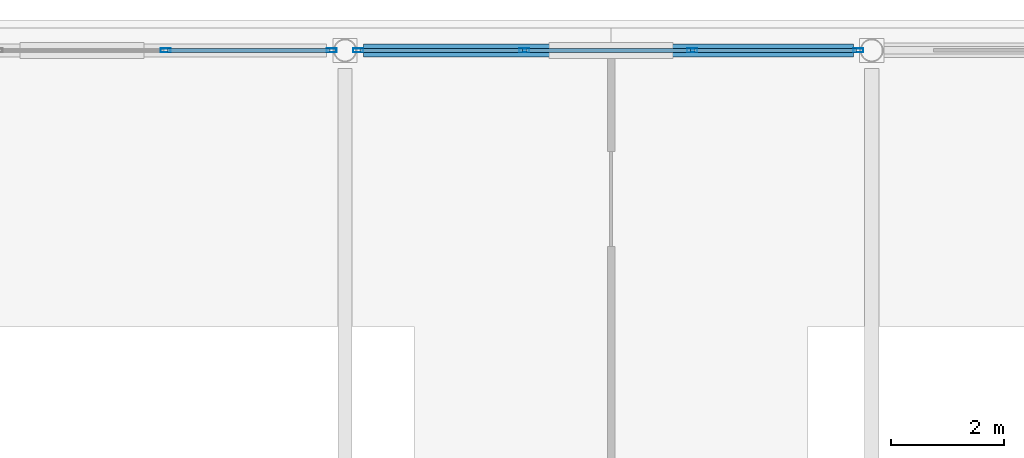
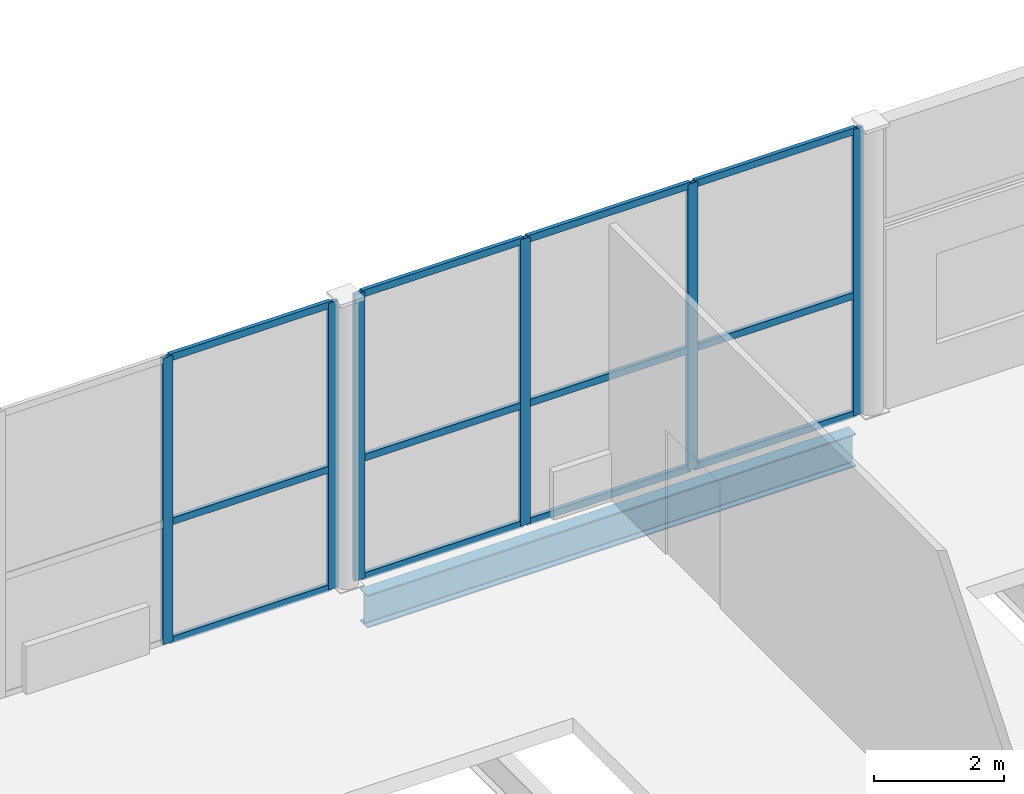
# One storey, part 45 of 83: 18 members, 1 beam, 2 elements without a shape of their own.
"""IFC4 building model written with IfcOpenShell, lengths in metres."""

from ifc_helpers import new_model, si_unit, direction, frame, origin, origin_2d, place, context, subcontext, project, spatial, hollow_rectangle, i_section, extrude, material, layer, layer_set, material_profile, profile_set, type_object, element, aggregate, save


model = new_model("IFC4")

# Units and contexts
model_context = context("Model", 3, precision=1e-05, world=origin(), true_north=direction((0.0, 1.0)))
body_context = subcontext(model_context, "Body", "Model", "MODEL_VIEW")
ifc_project = project(units=[si_unit("LENGTHUNIT", "METRE"), si_unit("AREAUNIT", "SQUARE_METRE"), si_unit("VOLUMEUNIT", "CUBIC_METRE"), si_unit("PLANEANGLEUNIT", "RADIAN"), si_unit("MASSUNIT", "GRAM", prefix="KILO")], contexts=[model_context])

# Site, building, storey
site_placement = place(None, origin())
site = spatial("IfcSite", under=ifc_project, at=site_placement, CompositionType="ELEMENT")
building_placement = place(site_placement, origin())
building = spatial("IfcBuilding", under=site, at=building_placement, Name="Quillay Park Conservatory", CompositionType="ELEMENT")
storey_placement = place(building_placement, origin())
storey = spatial("IfcBuildingStorey", under=building, at=storey_placement, Name="L00", CompositionType="ELEMENT", Elevation=0.0)

# Curtain wall, members
ifc_material_1 = material(Name="Thermally Broken Anodised Aluminium 6063-T6", Category="aluminium")
ifc_layer = layer(ifc_material_1, 0.219970703125)
ifc_layer_set = layer_set([ifc_layer], Name="UNITISED CURTAIN WALL CONSERVATORY (Thermally Broken Anodised Aluminium 6063-T6)")
curtain_wall_type = type_object("IfcCurtainWallType", Name="UNITISED CURTAIN WALL CONSERVATORY", PredefinedType="USERDEFINED", material=ifc_layer_set)
curtain_wall_1_placement = place(storey_placement, origin())
curtain_wall_1 = element("IfcCurtainWall", 1, at=curtain_wall_1_placement, inside=storey, type_object=curtain_wall_type, Name="L00 Unitised Curtain Wall 152", ObjectType="UNITISED CURTAIN WALL", PredefinedType="USERDEFINED")
ifc_material_2 = material(Name="Thermally Broken Anodised Aluminium 6063-T6", Category="aluminium")
ifc_material_profile_1 = material_profile(ifc_material_2, hollow_rectangle(XDim=0.070068359375, YDim=0.179931640625, WallThickness=0.00390625, at=origin_2d()), Name="AL70x180x4")
ifc_profile_set_1 = profile_set([ifc_material_profile_1], Name="Thermally Broken Anodised Aluminium 6063-T6")
member_type_1 = type_object("IfcMemberType", Name="CURTAIN WALL MULLION 70 X180", PredefinedType="MULLION", material=ifc_profile_set_1)
member_1_placement = place(storey_placement, frame((64.886474609375, 113.39990234375, 0.0), z_axis=(0.0, 0.0, 1.0), x_axis=(0.0, 1.0, 0.0)))
member_1 = element("IfcMember", 2, at=member_1_placement, type_object=member_type_1, Name="CW-C1 mullion 3", PredefinedType="MULLION", context=body_context, shape_type="SweptSolid", body=[
    extrude(hollow_rectangle(XDim=0.070068359375, YDim=0.179931640625, WallThickness=0.00390625, at=origin_2d()), origin(), (0.0, 0.0, 1.0), 5.39990234375),
])
member_2_placement = place(storey_placement, frame((67.835205078125, 113.39990234375, 0.0), z_axis=(0.0, 0.0, 1.0), x_axis=(0.0, 1.0, 0.0)))
member_2 = element("IfcMember", 3, at=member_2_placement, type_object=member_type_1, Name="CW-C1 mullion 4", PredefinedType="MULLION", context=body_context, shape_type="SweptSolid", body=[
    extrude(hollow_rectangle(XDim=0.070068359375, YDim=0.179931640625, WallThickness=0.00390625, at=origin_2d()), origin(), (0.0, 0.0, 1.0), 5.39990234375),
])

curtain_wall_2_placement = place(storey_placement, origin())
curtain_wall_2 = element("IfcCurtainWall", 4, at=curtain_wall_2_placement, inside=storey, type_object=curtain_wall_type, Name="L00 Unitised Curtain Wall 154", ObjectType="UNITISED CURTAIN WALL", PredefinedType="USERDEFINED")
member_3_placement = place(storey_placement, frame((68.30908203125, 113.39990234375, 0.0), z_axis=(0.0, 0.0, 1.0), x_axis=(0.0, 1.0, 0.0)))
member_3 = element("IfcMember", 5, at=member_3_placement, type_object=member_type_1, Name="CW-C1 mullion 1", PredefinedType="MULLION", context=body_context, shape_type="SweptSolid", body=[
    extrude(hollow_rectangle(XDim=0.070068359375, YDim=0.179931640625, WallThickness=0.00390625, at=origin_2d()), origin(), (0.0, 0.0, 1.0), 5.39990234375),
])
member_4_placement = place(storey_placement, frame((71.258056640625, 113.39990234375, 0.0), z_axis=(0.0, 0.0, 1.0), x_axis=(0.0, 1.0, 0.0)))
member_4 = element("IfcMember", 6, at=member_4_placement, type_object=member_type_1, Name="CW-C1 mullion 2", PredefinedType="MULLION", context=body_context, shape_type="SweptSolid", body=[
    extrude(hollow_rectangle(XDim=0.070068359375, YDim=0.179931640625, WallThickness=0.00390625, at=origin_2d()), origin(), (0.0, 0.0, 1.0), 5.39990234375),
])
member_5_placement = place(storey_placement, frame((74.241943359375, 113.39990234375, 0.0), z_axis=(0.0, 0.0, 1.0), x_axis=(0.0, 1.0, 0.0)))
member_5 = element("IfcMember", 7, at=member_5_placement, type_object=member_type_1, Name="CW-C1 mullion 3", PredefinedType="MULLION", context=body_context, shape_type="SweptSolid", body=[
    extrude(hollow_rectangle(XDim=0.070068359375, YDim=0.179931640625, WallThickness=0.00390625, at=origin_2d()), origin(), (0.0, 0.0, 1.0), 5.39990234375),
])
member_6_placement = place(storey_placement, frame((77.19091796875, 113.39990234375, 0.0), z_axis=(0.0, 0.0, 1.0), x_axis=(0.0, 1.0, 0.0)))
member_6 = element("IfcMember", 8, at=member_6_placement, type_object=member_type_1, Name="CW-C1 mullion 4", PredefinedType="MULLION", context=body_context, shape_type="SweptSolid", body=[
    extrude(hollow_rectangle(XDim=0.070068359375, YDim=0.179931640625, WallThickness=0.00390625, at=origin_2d()), origin(), (0.0, 0.0, 1.0), 5.39990234375),
])

# Member
ifc_material_3 = material(Name="Thermally Broken Anodised Aluminium 6063-T6", Category="aluminium")
ifc_material_profile_2 = material_profile(ifc_material_3, hollow_rectangle(XDim=0.070068359375, YDim=0.1298828125, WallThickness=0.003173828125, at=origin_2d()), Name="AL70x130x3.2")
ifc_profile_set_2 = profile_set([ifc_material_profile_2], Name="Thermally Broken Anodised Aluminium 6063-T6")
member_type_2 = type_object("IfcMemberType", Name="CURTAIN WALL TRANSOM 70 X130", PredefinedType="USERDEFINED", material=ifc_profile_set_2)
member_7_placement = place(storey_placement, frame((64.92138671875, 113.39990234375, 0.034912109375), z_axis=(1.0, 0.0, 0.0), x_axis=(0.0, 1.0, 0.0)))
member_7 = element("IfcMember", 9, at=member_7_placement, type_object=member_type_2, Name="CW-C1 transom 3.1", ObjectType="TRANSOM", PredefinedType="USERDEFINED", context=body_context, shape_type="SweptSolid", body=[
    extrude(hollow_rectangle(XDim=0.070068359375, YDim=0.1298828125, WallThickness=0.003173828125, at=origin_2d()), origin(), (0.0, 0.0, 1.0), 2.87890625),
])

member_8_placement = place(storey_placement, frame((64.92138671875, 113.39990234375, 2.26806640625), z_axis=(1.0, 0.0, 0.0), x_axis=(0.0, 1.0, 0.0)))
member_8 = element("IfcMember", 10, at=member_8_placement, type_object=member_type_2, Name="CW-C1 transom 3.2", ObjectType="TRANSOM", PredefinedType="USERDEFINED", context=body_context, shape_type="SweptSolid", body=[
    extrude(hollow_rectangle(XDim=0.070068359375, YDim=0.1298828125, WallThickness=0.003173828125, at=origin_2d()), origin(), (0.0, 0.0, 1.0), 2.87890625),
])

member_9_placement = place(storey_placement, frame((64.92138671875, 113.39990234375, 5.364990234375), z_axis=(1.0, 0.0, 0.0), x_axis=(0.0, 1.0, 0.0)))
member_9 = element("IfcMember", 11, at=member_9_placement, type_object=member_type_2, Name="CW-C1 transom 3.3", ObjectType="TRANSOM", PredefinedType="USERDEFINED", context=body_context, shape_type="SweptSolid", body=[
    extrude(hollow_rectangle(XDim=0.070068359375, YDim=0.1298828125, WallThickness=0.003173828125, at=origin_2d()), origin(), (0.0, 0.0, 1.0), 2.87890625),
])

aggregate(curtain_wall_1, [member_1, member_2, member_7, member_8, member_9])

member_10_placement = place(storey_placement, frame((68.34423828125, 113.39990234375, 0.034912109375), z_axis=(1.0, 0.0, 0.0), x_axis=(0.0, 1.0, 0.0)))
member_10 = element("IfcMember", 12, at=member_10_placement, type_object=member_type_2, Name="CW-C1 transom 1.1", ObjectType="TRANSOM", PredefinedType="USERDEFINED", context=body_context, shape_type="SweptSolid", body=[
    extrude(hollow_rectangle(XDim=0.070068359375, YDim=0.1298828125, WallThickness=0.003173828125, at=origin_2d()), origin(), (0.0, 0.0, 1.0), 2.87890625),
])

member_11_placement = place(storey_placement, frame((68.34423828125, 113.39990234375, 2.26806640625), z_axis=(1.0, 0.0, 0.0), x_axis=(0.0, 1.0, 0.0)))
member_11 = element("IfcMember", 13, at=member_11_placement, type_object=member_type_2, Name="CW-C1 transom 1.2", ObjectType="TRANSOM", PredefinedType="USERDEFINED", context=body_context, shape_type="SweptSolid", body=[
    extrude(hollow_rectangle(XDim=0.070068359375, YDim=0.1298828125, WallThickness=0.003173828125, at=origin_2d()), origin(), (0.0, 0.0, 1.0), 2.87890625),
])

member_12_placement = place(storey_placement, frame((68.34423828125, 113.39990234375, 5.364990234375), z_axis=(1.0, 0.0, 0.0), x_axis=(0.0, 1.0, 0.0)))
member_12 = element("IfcMember", 14, at=member_12_placement, type_object=member_type_2, Name="CW-C1 transom 1.3", ObjectType="TRANSOM", PredefinedType="USERDEFINED", context=body_context, shape_type="SweptSolid", body=[
    extrude(hollow_rectangle(XDim=0.070068359375, YDim=0.1298828125, WallThickness=0.003173828125, at=origin_2d()), origin(), (0.0, 0.0, 1.0), 2.87890625),
])

member_13_placement = place(storey_placement, frame((71.29296875, 113.39990234375, 0.034912109375), z_axis=(1.0, 0.0, 0.0), x_axis=(0.0, 1.0, 0.0)))
member_13 = element("IfcMember", 15, at=member_13_placement, type_object=member_type_2, Name="CW-C1 transom 2.1", ObjectType="TRANSOM", PredefinedType="USERDEFINED", context=body_context, shape_type="SweptSolid", body=[
    extrude(hollow_rectangle(XDim=0.070068359375, YDim=0.1298828125, WallThickness=0.003173828125, at=origin_2d()), origin(), (0.0, 0.0, 1.0), 2.9140625),
])

member_14_placement = place(storey_placement, frame((71.29296875, 113.39990234375, 2.26806640625), z_axis=(1.0, 0.0, 0.0), x_axis=(0.0, 1.0, 0.0)))
member_14 = element("IfcMember", 16, at=member_14_placement, type_object=member_type_2, Name="CW-C1 transom 2.2", ObjectType="TRANSOM", PredefinedType="USERDEFINED", context=body_context, shape_type="SweptSolid", body=[
    extrude(hollow_rectangle(XDim=0.070068359375, YDim=0.1298828125, WallThickness=0.003173828125, at=origin_2d()), origin(), (0.0, 0.0, 1.0), 2.9140625),
])

member_15_placement = place(storey_placement, frame((71.29296875, 113.39990234375, 5.364990234375), z_axis=(1.0, 0.0, 0.0), x_axis=(0.0, 1.0, 0.0)))
member_15 = element("IfcMember", 17, at=member_15_placement, type_object=member_type_2, Name="CW-C1 transom 2.3", ObjectType="TRANSOM", PredefinedType="USERDEFINED", context=body_context, shape_type="SweptSolid", body=[
    extrude(hollow_rectangle(XDim=0.070068359375, YDim=0.1298828125, WallThickness=0.003173828125, at=origin_2d()), origin(), (0.0, 0.0, 1.0), 2.9140625),
])

member_16_placement = place(storey_placement, frame((74.27685546875, 113.39990234375, 0.034912109375), z_axis=(1.0, 0.0, 0.0), x_axis=(0.0, 1.0, 0.0)))
member_16 = element("IfcMember", 18, at=member_16_placement, type_object=member_type_2, Name="CW-C1 transom 3.1", ObjectType="TRANSOM", PredefinedType="USERDEFINED", context=body_context, shape_type="SweptSolid", body=[
    extrude(hollow_rectangle(XDim=0.070068359375, YDim=0.1298828125, WallThickness=0.003173828125, at=origin_2d()), origin(), (0.0, 0.0, 1.0), 2.87890625),
])

member_17_placement = place(storey_placement, frame((74.27685546875, 113.39990234375, 2.26806640625), z_axis=(1.0, 0.0, 0.0), x_axis=(0.0, 1.0, 0.0)))
member_17 = element("IfcMember", 19, at=member_17_placement, type_object=member_type_2, Name="CW-C1 transom 3.2", ObjectType="TRANSOM", PredefinedType="USERDEFINED", context=body_context, shape_type="SweptSolid", body=[
    extrude(hollow_rectangle(XDim=0.070068359375, YDim=0.1298828125, WallThickness=0.003173828125, at=origin_2d()), origin(), (0.0, 0.0, 1.0), 2.87890625),
])

member_18_placement = place(storey_placement, frame((74.27685546875, 113.39990234375, 5.364990234375), z_axis=(1.0, 0.0, 0.0), x_axis=(0.0, 1.0, 0.0)))
member_18 = element("IfcMember", 20, at=member_18_placement, type_object=member_type_2, Name="CW-C1 transom 3.3", ObjectType="TRANSOM", PredefinedType="USERDEFINED", context=body_context, shape_type="SweptSolid", body=[
    extrude(hollow_rectangle(XDim=0.070068359375, YDim=0.1298828125, WallThickness=0.003173828125, at=origin_2d()), origin(), (0.0, 0.0, 1.0), 2.87890625),
])

aggregate(curtain_wall_2, [member_3, member_4, member_5, member_6, member_10, member_11, member_12, member_13, member_14, member_15, member_16, member_17, member_18])

# Beam
ifc_material_4 = material(Name="Steel ASTM A992 Grade 50", Category="steel")
ifc_material_profile_3 = material_profile(ifc_material_4, i_section(OverallWidth=0.22998046875, OverallDepth=0.616943359375, WebThickness=0.01318359375, FlangeThickness=0.022216796875, FilletRadius=0.014892578125, at=origin_2d()), Name="W610x140")
ifc_profile_set_3 = profile_set([ifc_material_profile_3], Name="Steel ASTM A992 Grade 50")
beam_type = type_object("IfcBeamType", Name="PRIMARY FLOOR GIRDER W610 X140", PredefinedType="BEAM", material=ifc_profile_set_3)
beam_placement = place(storey_placement, frame((68.397216796875, 113.39990234375, -0.58837890625), z_axis=(1.0, 0.0, 0.0), x_axis=(0.0, 1.0, 0.0)))
element("IfcBeam", 21, at=beam_placement, inside=storey, type_object=beam_type, Name="L00 beam BM-V1L0-1624", PredefinedType="BEAM", context=body_context, shape_type="SweptSolid", body=[
    extrude(i_section(OverallWidth=0.22998046875, OverallDepth=0.616943359375, WebThickness=0.01318359375, FlangeThickness=0.022216796875, FilletRadius=0.014892578125, at=origin_2d()), origin(), (0.0, 0.0, 1.0), 8.70556640625),
])

save(model, "model.ifc")
